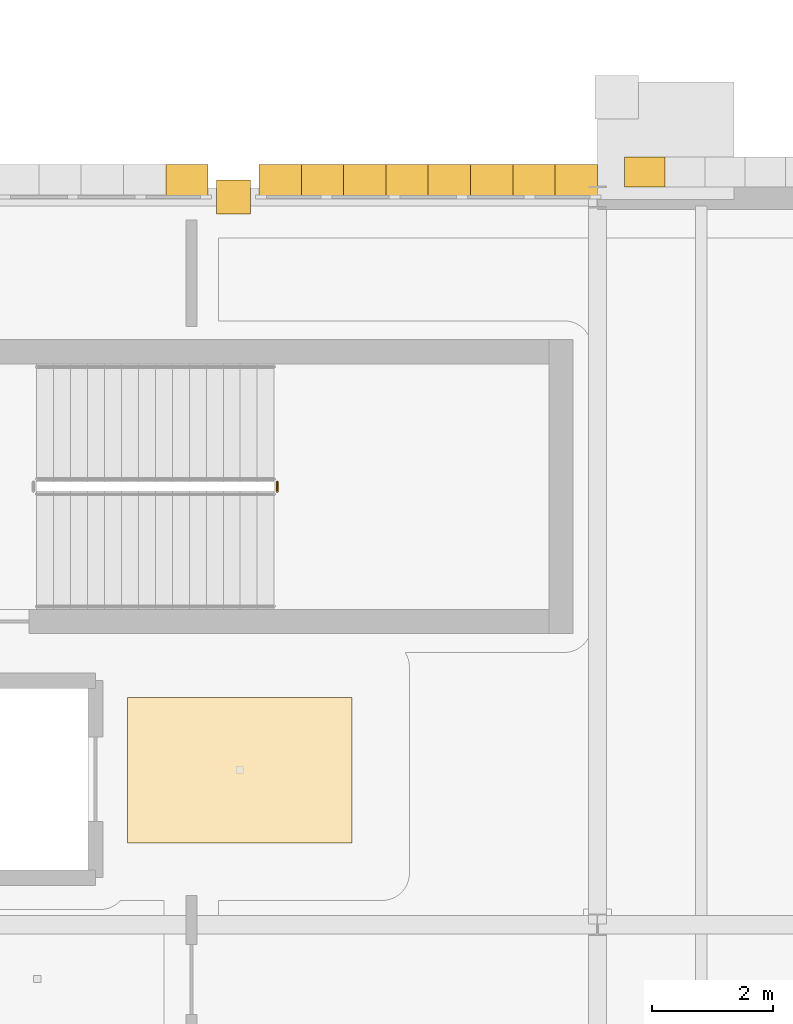
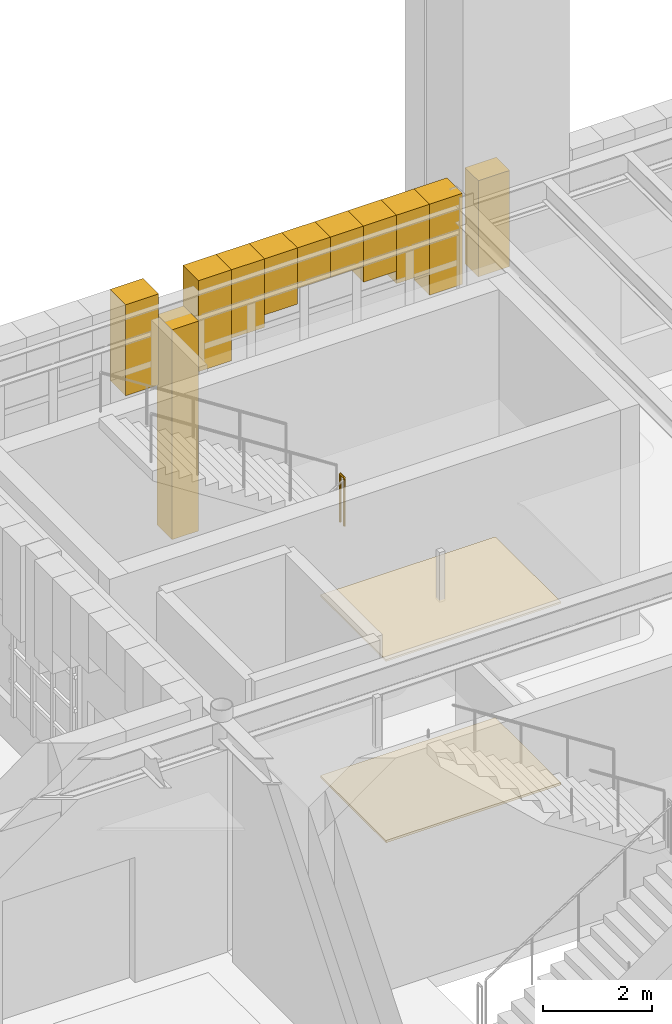
# One storey, part 100 of 103: 13 coverings, 1 railing.
"""IFC4 building model written with IfcOpenShell, lengths in metres."""

from ifc_helpers import new_model, si_unit, direction, frame, origin, origin_2d, place, context, subcontext, project, spatial, polyline, circle, outline, extrude, material, layer, layer_set, type_object, element, save


model = new_model("IFC4")

# Units and contexts
model_context = context("Model", 3, precision=1e-05, world=origin(), true_north=direction((0.0, 1.0)))
body_context = subcontext(model_context, "Body", "Model", "MODEL_VIEW")
ifc_project = project(units=[si_unit("LENGTHUNIT", "METRE"), si_unit("AREAUNIT", "SQUARE_METRE"), si_unit("VOLUMEUNIT", "CUBIC_METRE"), si_unit("PLANEANGLEUNIT", "RADIAN"), si_unit("MASSUNIT", "GRAM", prefix="KILO")], contexts=[model_context])

# Site, building, storey
site_placement = place(None, origin())
site = spatial("IfcSite", under=ifc_project, at=site_placement, CompositionType="ELEMENT")
building_placement = place(site_placement, origin())
building = spatial("IfcBuilding", under=site, at=building_placement, Name="Zlatogorsky Bluff Art Gallery", CompositionType="ELEMENT")
storey_placement = place(building_placement, origin())
storey = spatial("IfcBuildingStorey", under=building, at=storey_placement, Name="L00", CompositionType="ELEMENT", Elevation=0.0)

# Coverings
ifc_material_1 = material(Name="Perforated Gypsum Acoustic Board", Category="gypsum")
ifc_layer_1 = layer(ifc_material_1, 0.0400390625)
ifc_layer_set_1 = layer_set([ifc_layer_1], Name="Acoustic Gallery Ceiling CLG-01")
covering_type_1 = type_object("IfcCoveringType", Name="Acoustic Gallery Ceiling CLG-01", PredefinedType="CEILING", material=ifc_layer_set_1)
covering_1_placement = place(storey_placement, frame((0.0, 0.0, 4.050048828125)))
element("IfcCovering", 1, at=covering_1_placement, inside=storey, type_object=covering_type_1, Name="Lift Lobby PL-1 acoustic ceiling", PredefinedType="CEILING", context=body_context, shape_type="SweptSolid", body=[
    extrude(outline(polyline([(127.949951171875, 99.75), (127.949951171875, 97.35009765625), (124.25, 97.35009765625), (124.25, 99.75), (127.949951171875, 99.75)])), origin(), (0.0, 0.0, 1.0), 0.0400390625),
])
ifc_material_2 = material(Name="Honed Red Agra-Tone Quartzitic Sandstone", Category="masonry")
ifc_layer_2 = layer(ifc_material_2, 0.1201171875)
ifc_layer_set_2 = layer_set([ifc_layer_2], Name="Carved Sandstone Cladding CLD-02")
covering_type_2 = type_object("IfcCoveringType", Name="Carved Sandstone Cladding CLD-02", PredefinedType="CLADDING", material=ifc_layer_set_2)
covering_2_placement = place(storey_placement, frame((0.0, 0.0, -0.030029296875)))
element("IfcCovering", 2, at=covering_2_placement, inside=storey, type_object=covering_type_2, Name="Mughal dalan central sandstone pier L00 N 10.9", PredefinedType="CLADDING", context=body_context, shape_type="SweptSolid", body=[
    extrude(outline(polyline([(125.719970703125, 107.719970703125), (126.280029296875, 107.719970703125), (126.280029296875, 108.280029296875), (125.719970703125, 108.280029296875), (125.719970703125, 107.719970703125)])), origin(), (0.0, 0.0, 1.0), 4.68994140625),
])
covering_3_placement = place(storey_placement, frame((0.0, 0.0, 3.327880859375)))
element("IfcCovering", 3, at=covering_3_placement, inside=storey, type_object=covering_type_2, Name="Pointed Mughal arch voussoir spandrel ARCH-CW-L00-N-10-09-A.1", PredefinedType="CLADDING", context=body_context, shape_type="SweptSolid", body=[
    extrude(outline(polyline([(126.419921875, 107.969970703125), (127.117431640625, 107.969970703125), (127.117431640625, 108.5400390625), (126.419921875, 108.5400390625), (126.419921875, 107.969970703125)])), origin(), (0.0, 0.0, 1.0), 2.0322265625),
])
covering_4_placement = place(storey_placement, frame((0.0, 0.0, 3.82958984375)))
element("IfcCovering", 4, at=covering_4_placement, inside=storey, type_object=covering_type_2, Name="Pointed Mughal arch voussoir spandrel ARCH-CW-L00-N-10-09-A.2", PredefinedType="CLADDING", context=body_context, shape_type="SweptSolid", body=[
    extrude(outline(polyline([(127.117431640625, 107.969970703125), (127.81494140625, 107.969970703125), (127.81494140625, 108.5400390625), (127.117431640625, 108.5400390625), (127.117431640625, 107.969970703125)])), origin(), (0.0, 0.0, 1.0), 1.530517578125),
])
covering_5_placement = place(storey_placement, frame((0.0, 0.0, 4.1064453125)))
element("IfcCovering", 5, at=covering_5_placement, inside=storey, type_object=covering_type_2, Name="Pointed Mughal arch voussoir spandrel ARCH-CW-L00-N-10-09-A.3", PredefinedType="CLADDING", context=body_context, shape_type="SweptSolid", body=[
    extrude(outline(polyline([(127.81494140625, 107.969970703125), (128.512451171875, 107.969970703125), (128.512451171875, 108.5400390625), (127.81494140625, 108.5400390625), (127.81494140625, 107.969970703125)])), origin(), (0.0, 0.0, 1.0), 1.253662109375),
])
covering_6_placement = place(storey_placement, frame((0.0, 0.0, 4.45458984375)))
element("IfcCovering", 6, at=covering_6_placement, inside=storey, type_object=covering_type_2, Name="Pointed Mughal arch voussoir spandrel ARCH-CW-L00-N-10-09-A.4", PredefinedType="CLADDING", context=body_context, shape_type="SweptSolid", body=[
    extrude(outline(polyline([(128.512451171875, 107.969970703125), (129.2099609375, 107.969970703125), (129.2099609375, 108.5400390625), (128.512451171875, 108.5400390625), (128.512451171875, 107.969970703125)])), origin(), (0.0, 0.0, 1.0), 0.905517578125),
])
covering_7_placement = place(storey_placement, frame((0.0, 0.0, 4.45458984375)))
element("IfcCovering", 7, at=covering_7_placement, inside=storey, type_object=covering_type_2, Name="Pointed Mughal arch voussoir spandrel ARCH-CW-L00-N-10-09-A.5", PredefinedType="CLADDING", context=body_context, shape_type="SweptSolid", body=[
    extrude(outline(polyline([(129.2099609375, 107.969970703125), (129.907470703125, 107.969970703125), (129.907470703125, 108.5400390625), (129.2099609375, 108.5400390625), (129.2099609375, 107.969970703125)])), origin(), (0.0, 0.0, 1.0), 0.905517578125),
])
covering_8_placement = place(storey_placement, frame((0.0, 0.0, 4.1064453125)))
element("IfcCovering", 8, at=covering_8_placement, inside=storey, type_object=covering_type_2, Name="Pointed Mughal arch voussoir spandrel ARCH-CW-L00-N-10-09-A.6", PredefinedType="CLADDING", context=body_context, shape_type="SweptSolid", body=[
    extrude(outline(polyline([(129.907470703125, 107.969970703125), (130.60498046875, 107.969970703125), (130.60498046875, 108.5400390625), (129.907470703125, 108.5400390625), (129.907470703125, 107.969970703125)])), origin(), (0.0, 0.0, 1.0), 1.253662109375),
])
covering_9_placement = place(storey_placement, frame((0.0, 0.0, 3.82958984375)))
element("IfcCovering", 9, at=covering_9_placement, inside=storey, type_object=covering_type_2, Name="Pointed Mughal arch voussoir spandrel ARCH-CW-L00-N-10-09-A.7", PredefinedType="CLADDING", context=body_context, shape_type="SweptSolid", body=[
    extrude(outline(polyline([(130.60498046875, 107.969970703125), (131.302490234375, 107.969970703125), (131.302490234375, 108.5400390625), (130.60498046875, 108.5400390625), (130.60498046875, 107.969970703125)])), origin(), (0.0, 0.0, 1.0), 1.530517578125),
])
covering_10_placement = place(storey_placement, frame((0.0, 0.0, 3.327880859375)))
element("IfcCovering", 10, at=covering_10_placement, inside=storey, type_object=covering_type_2, Name="Pointed Mughal arch voussoir spandrel ARCH-CW-L00-N-10-09-A.8", PredefinedType="CLADDING", context=body_context, shape_type="SweptSolid", body=[
    extrude(outline(polyline([(131.302490234375, 107.969970703125), (132.0, 107.969970703125), (132.0, 108.5400390625), (131.302490234375, 108.5400390625), (131.302490234375, 107.969970703125)])), origin(), (0.0, 0.0, 1.0), 2.0322265625),
])
covering_11_placement = place(storey_placement, frame((0.0, 0.0, 3.327880859375)))
element("IfcCovering", 11, at=covering_11_placement, inside=storey, type_object=covering_type_2, Name="Pointed Mughal arch voussoir spandrel ARCH-CW-L00-N-10-09-B.8", PredefinedType="CLADDING", context=body_context, shape_type="SweptSolid", body=[
    extrude(outline(polyline([(124.882568359375, 107.969970703125), (125.580078125, 107.969970703125), (125.580078125, 108.5400390625), (124.882568359375, 108.5400390625), (124.882568359375, 107.969970703125)])), origin(), (0.0, 0.0, 1.0), 2.0322265625),
])
covering_12_placement = place(storey_placement, frame((0.0, 0.0, 3.21240234375)))
element("IfcCovering", 12, at=covering_12_placement, inside=storey, type_object=covering_type_2, Name="Pointed Mughal arch voussoir spandrel WARCH-L00-N-11-09-A.1", PredefinedType="CLADDING", context=body_context, shape_type="SweptSolid", body=[
    extrude(outline(polyline([(132.449951171875, 108.169921875), (133.112548828125, 108.169921875), (133.112548828125, 108.659912109375), (132.449951171875, 108.659912109375), (132.449951171875, 108.169921875)])), origin(), (0.0, 0.0, 1.0), 2.147705078125),
])

# Railing
ifc_material_3 = material(Name="Architectural Bronze and Laminated Glass", Category="glass")
railing_type = type_object("IfcRailingType", Name="Gallery Guard Rail 1100mm", PredefinedType="GUARDRAIL", material=ifc_material_3)
railing_placement = place(storey_placement, frame((126.719970703125, 103.14990234375, 2.699951171875)))
element("IfcRailing", 13, at=railing_placement, inside=storey, type_object=railing_type, Name="L00 ST-03 stair guard 2", PredefinedType="GUARDRAIL", context=body_context, shape_type="SweptSolid", body=[
    extrude(circle(Radius=0.02392578125, at=origin_2d()), frame((0.0, 0.0, 1.076171875), z_axis=(0.0, 1.0, 0.0), x_axis=(-1.0, 0.0, 0.0)), (0.0, 0.0, 1.0), 0.150146484375),
    extrude(circle(Radius=0.02099609375, at=origin_2d()), origin(), (0.0, 0.0, 1.0), 1.052001953125),
    extrude(circle(Radius=0.02099609375, at=origin_2d()), frame((0.0, 0.150146484375, 0.0)), (0.0, 0.0, 1.0), 1.052001953125),
])

# Covering
ifc_material_4 = material(Name="Polished Ural Marble Terrazzo", Category="masonry")
ifc_layer_3 = layer(ifc_material_4, 0.050048828125)
ifc_layer_set_3 = layer_set([ifc_layer_3], Name="Terrazzo Gallery Flooring FLR-01")
covering_type_3 = type_object("IfcCoveringType", Name="Terrazzo Gallery Flooring FLR-01", PredefinedType="FLOORING", material=ifc_layer_set_3)
covering_13_placement = place(storey_placement, origin())
element("IfcCovering", 14, at=covering_13_placement, inside=storey, type_object=covering_type_3, Name="Lift Lobby PL-1 terrazzo floor finish", PredefinedType="FLOORING", context=body_context, shape_type="SweptSolid", body=[
    extrude(outline(polyline([(127.949951171875, 99.75), (127.949951171875, 97.35009765625), (124.25, 97.35009765625), (124.25, 99.75), (127.949951171875, 99.75)])), origin(), (0.0, 0.0, 1.0), 0.050048828125),
])

save(model, "model.ifc")
